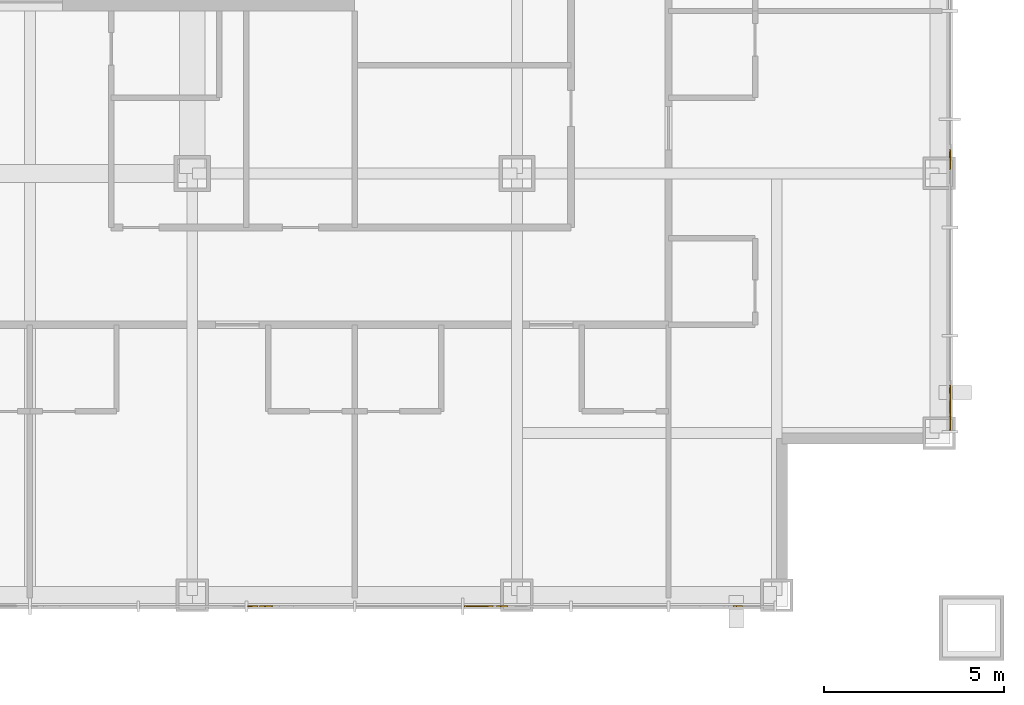
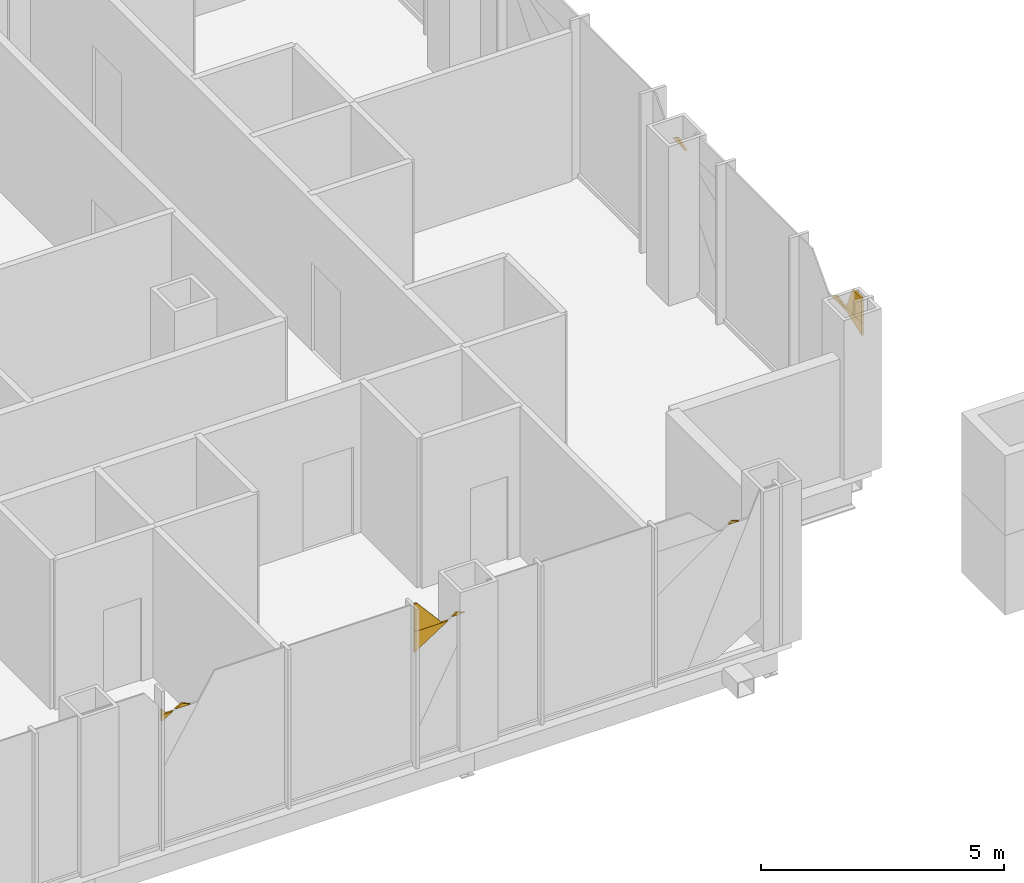
# One storey, part 18 of 23: 11 coverings.
"""IFC4 building model written with IfcOpenShell, lengths in metres."""

import ifcopenshell
import ifcopenshell.guid

model = None  # the IFC model being written
_history = None  # IfcOwnerHistory: only IFC2X3 demands one
_inside = {}  # id of a spatial element -> (the spatial element, [elements in it])
_under = {}  # id of a project, library or spatial element -> (it, [spatial elements below it])
_declared = {}  # id of a project -> (the project, [libraries it declares])
_typed = {}  # id of a type object -> (the type object, [elements of that type])
_made_of = {}  # id of a material, layer set ... -> (it, [elements and type objects made of it])


def new_model(schema):
    """Start an empty IFC model of exactly this schema.

    Asked for "IFC4X3", IfcOpenShell would pick the latest addendum, in which some entities
    have other attributes; the version numbers below select the first issue.
    IFC2X3 requires an IfcOwnerHistory on every rooted entity: one is made here for all.
    """
    global model, _history
    if schema == "IFC4X3":
        model = ifcopenshell.file(schema_version=(4, 3, 0, 0))
    else:
        model = ifcopenshell.file(schema=schema)
    _inside.clear()
    _under.clear()
    _declared.clear()
    _typed.clear()
    _made_of.clear()
    _history = None
    if model.schema == "IFC2X3":
        org = make("IfcOrganization", Name="unknown")
        user = make(
            "IfcPersonAndOrganization",
            ThePerson=make("IfcPerson", FamilyName="unknown"),
            TheOrganization=org,
        )
        app = make(
            "IfcApplication",
            ApplicationDeveloper=org,
            Version="unknown",
            ApplicationFullName="unknown",
            ApplicationIdentifier="unknown",
        )
        _history = make(
            "IfcOwnerHistory",
            OwningUser=user,
            OwningApplication=app,
            ChangeAction="ADDED",
            CreationDate=0,
        )
    return model


def make(cls, **values):
    """One entity of the class cls with the attributes given. An attribute that is None is left unset."""
    return model.create_entity(
        cls, **{name: value for name, value in values.items() if value is not None}
    )


def rooted(cls, **values):
    """An entity with a GlobalId (a new one), such as an element, a storey or a relation."""
    return make(cls, GlobalId=ifcopenshell.guid.new(), OwnerHistory=_history, **values)


def si_unit(unit_type, name, prefix=None):
    """IfcSIUnit, for example si_unit("LENGTHUNIT", "METRE", prefix="MILLI")."""
    return make("IfcSIUnit", UnitType=unit_type, Prefix=prefix, Name=name)


def assignment(units):
    """IfcUnitAssignment: the units of a project."""
    return None if units is None else make("IfcUnitAssignment", Units=units)


def point(xyz):
    """IfcCartesianPoint."""
    return None if xyz is None else make("IfcCartesianPoint", Coordinates=xyz)


def direction(xyz):
    """IfcDirection."""
    return None if xyz is None else make("IfcDirection", DirectionRatios=xyz)


def frame(location, z_axis=None, x_axis=None):
    """IfcAxis2Placement3D, a coordinate frame: its origin and axes. An axis left out is left unset."""
    return make(
        "IfcAxis2Placement3D",
        Location=point(location),
        Axis=direction(z_axis),
        RefDirection=direction(x_axis),
    )


def origin():
    """The frame at (0, 0, 0) with its axes left unset."""
    return frame((0.0, 0.0, 0.0))


def place(relative_to, where):
    """IfcLocalPlacement: puts the frame where relative to a parent placement (None: the world)."""
    return make(
        "IfcLocalPlacement", PlacementRelTo=relative_to, RelativePlacement=where
    )


def context(
    kind, dimensions, precision=None, world=None, true_north=None, identifier=None
):
    """IfcGeometricRepresentationContext, for example the 3D "Model" context."""
    return make(
        "IfcGeometricRepresentationContext",
        ContextIdentifier=identifier,
        ContextType=kind,
        CoordinateSpaceDimension=dimensions,
        Precision=precision,
        WorldCoordinateSystem=world,
        TrueNorth=true_north,
    )


def subcontext(parent, identifier, kind, view, scale=None):
    """IfcGeometricRepresentationSubContext, for example "Body" below "Model"."""
    return make(
        "IfcGeometricRepresentationSubContext",
        ContextIdentifier=identifier,
        ContextType=kind,
        ParentContext=parent,
        TargetScale=scale,
        TargetView=view,
    )


def project(units=None, contexts=None):
    """IfcProject with its units and contexts."""
    return rooted(
        "IfcProject",
        Name="project",
        RepresentationContexts=contexts,
        UnitsInContext=assignment(units),
    )


def spatial(cls, under=None, at=None, **own):
    """A site, building, storey or space (cls), placed at a placement, below another one or the project."""
    s = rooted(cls, ObjectPlacement=at, **own)
    if under is not None:
        _under.setdefault(under.id(), (under, []))[1].append(s)
    return s


def polyline(points):
    """IfcPolyline through the points."""
    return make("IfcPolyline", Points=[point(p) for p in points])


def outline(outer, holes=None, kind="AREA"):
    """IfcArbitraryClosedProfileDef: a profile drawn as a closed curve; with holes, ...WithVoids."""
    if holes is None:
        return make("IfcArbitraryClosedProfileDef", ProfileType=kind, OuterCurve=outer)
    return make(
        "IfcArbitraryProfileDefWithVoids",
        ProfileType=kind,
        OuterCurve=outer,
        InnerCurves=holes,
    )


def extrude(swept, where, along, depth):
    """IfcExtrudedAreaSolid: the profile swept, set in the frame where, extruded along a direction by depth."""
    return make(
        "IfcExtrudedAreaSolid",
        SweptArea=swept,
        Position=where,
        ExtrudedDirection=direction(along),
        Depth=depth,
    )


def shape(context_of_items, identifier, shape_type, items):
    """IfcShapeRepresentation: the items that make up one representation, for example the "Body"."""
    return make(
        "IfcShapeRepresentation",
        ContextOfItems=context_of_items,
        RepresentationIdentifier=identifier,
        RepresentationType=shape_type,
        Items=items,
    )


def material(Name=None, Category=None):
    """IfcMaterial."""
    return make("IfcMaterial", Name=Name, Category=Category)


def layer(
    of_material, thickness, ventilated=None, Name=None, Category=None, Priority=None
):
    """IfcMaterialLayer: one layer of a wall or slab, of a material (None: an air gap)."""
    return make(
        "IfcMaterialLayer",
        Material=of_material,
        LayerThickness=thickness,
        IsVentilated=ventilated,
        Name=Name,
        Category=Category,
        Priority=Priority,
    )


def layer_set(layers, Name=None):
    """IfcMaterialLayerSet."""
    return make("IfcMaterialLayerSet", MaterialLayers=layers, LayerSetName=Name)


def made_of(thing, what):
    """Note that an element or type object is made of a material, layer set ...; save() writes the relation."""
    if what is not None:
        _made_of.setdefault(what.id(), (what, []))[1].append(thing)
    return thing


def type_object(cls, material=None, **own):
    """A type object (cls), such as IfcWallType, which elements share."""
    return made_of(rooted(cls, **own), material)


def element(
    cls,
    number,
    at=None,
    inside=None,
    cuts=None,
    type_object=None,
    material=None,
    context=None,
    identifier="Body",
    shape_type=None,
    held_by="IfcProductDefinitionShape",
    body=None,
    shapes=None,
    **own,
):
    """One element of the class cls, such as IfcWall. Its Tag is "e" and its number.

    at: its placement. inside: the storey or other place that contains it. cuts: it is an
    opening in that element (IfcRelVoidsElement). A single representation is given by context,
    identifier, shape_type and body (its items); several are given by shapes. held_by: the class
    of the entity that holds the representations. save() writes the other relations.
    """
    e = rooted(cls, Tag="e%d" % number, ObjectPlacement=at, **own)
    if body is not None:
        shapes = [shape(context, identifier, shape_type, body)]
    if shapes is not None:
        e.Representation = make(held_by, Representations=shapes)
    if inside is not None:
        _inside.setdefault(inside.id(), (inside, []))[1].append(e)
    if cuts is not None:
        rooted(
            "IfcRelVoidsElement", RelatingBuildingElement=cuts, RelatedOpeningElement=e
        )
    if type_object is not None:
        _typed.setdefault(type_object.id(), (type_object, []))[1].append(e)
    return made_of(e, material)


def aggregate(whole, parts):
    """IfcRelAggregates: a whole, such as a stair, and the parts it consists of."""
    return rooted("IfcRelAggregates", RelatingObject=whole, RelatedObjects=parts)


def save(model, path):
    """Write the relations noted so far, then the file.

    IfcRelAggregates (storeys below a building ...), IfcRelContainedInSpatialStructure (elements
    in a storey), IfcRelDefinesByType, IfcRelAssociatesMaterial and IfcRelDeclares: one each for
    every whole, place, type object, material and project.
    """
    for whole, parts in _under.values():
        aggregate(whole, parts)
    for where, things in _inside.values():
        rooted(
            "IfcRelContainedInSpatialStructure",
            RelatedElements=things,
            RelatingStructure=where,
        )
    for kind, things in _typed.values():
        rooted("IfcRelDefinesByType", RelatedObjects=things, RelatingType=kind)
    for what, things in _made_of.values():
        rooted("IfcRelAssociatesMaterial", RelatedObjects=things, RelatingMaterial=what)
    for by, libraries in _declared.values():
        rooted("IfcRelDeclares", RelatingContext=by, RelatedDefinitions=libraries)
    model.write(path)


model = new_model("IFC4")

# Units and contexts
model_context = context("Model", 3, precision=1e-05, world=origin(), true_north=direction((0.0, 1.0)))
body_context = subcontext(model_context, "Body", "Model", "MODEL_VIEW")
ifc_project = project(units=[si_unit("LENGTHUNIT", "METRE"), si_unit("AREAUNIT", "SQUARE_METRE"), si_unit("VOLUMEUNIT", "CUBIC_METRE"), si_unit("PLANEANGLEUNIT", "RADIAN"), si_unit("MASSUNIT", "GRAM", prefix="KILO")], contexts=[model_context])

# Site, building, storey
site_placement = place(None, origin())
site = spatial("IfcSite", under=ifc_project, at=site_placement, CompositionType="ELEMENT")
building_placement = place(site_placement, origin())
building = spatial("IfcBuilding", under=site, at=building_placement, Name="Malebo Sky Hospital", CompositionType="ELEMENT")
storey_placement = place(building_placement, frame((0.0, 0.0, 91.0)))
storey = spatial("IfcBuildingStorey", under=building, at=storey_placement, Name="L21", CompositionType="ELEMENT", Elevation=91.0)

# Coverings
ifc_material = material(Name="Anodised aluminium, natural silver insulated infill panel", Category="aluminium")
ifc_layer = layer(ifc_material, 0.0400390625)
ifc_layer_set = layer_set([ifc_layer], Name="BRACE INFILL PANEL 40")
covering_type = type_object("IfcCoveringType", Name="BRACE INFILL PANEL 40", PredefinedType="CLADDING", material=ifc_layer_set)
covering_1_placement = place(storey_placement, frame((79.623779296875, 36.5, 3.3779296875), z_axis=(0.0, 0.0, 1.0), x_axis=(-1.0, 0.0, 0.0)))
element("IfcCovering", 1, at=covering_1_placement, inside=storey, type_object=covering_type, Name="Brace infill panel 1.4", PredefinedType="CLADDING", context=body_context, shape_type="SweptSolid", body=[
    extrude(outline(polyline([(-0.125732421875, 0.0), (0.125732421875, 0.0), (0.0390625, 0.061279296875), (-0.125732421875, 0.0)])), frame((0.0, 0.02001953125, 0.0), z_axis=(0.0, -1.0, 0.0), x_axis=(1.0, 0.0, 0.0)), (0.0, 0.0, 1.0), 0.0400390625),
])
covering_2_placement = place(storey_placement, frame((72.439208984375, 36.5, 2.779296875), z_axis=(0.0, 0.0, 1.0), x_axis=(-1.0, 0.0, 0.0)))
element("IfcCovering", 2, at=covering_2_placement, inside=storey, type_object=covering_type, Name="Brace infill panel 3.2", PredefinedType="CLADDING", context=body_context, shape_type="SweptSolid", body=[
    extrude(outline(polyline([(0.401611328125, 0.0), (0.401611328125, 0.51953125), (-0.40185546875, 0.51953125), (0.401611328125, 0.0)])), frame((0.0, 0.02001953125, 0.0), z_axis=(0.0, -1.0, 0.0), x_axis=(1.0, 0.0, 0.0)), (0.0, 0.0, 1.0), 0.0400390625),
])
covering_3_placement = place(storey_placement, frame((72.3681640625, 36.5, 3.298828125), z_axis=(0.0, 0.0, 1.0), x_axis=(-1.0, 0.0, 0.0)))
element("IfcCovering", 3, at=covering_3_placement, inside=storey, type_object=covering_type, Name="Brace infill panel 3.3", PredefinedType="CLADDING", context=body_context, shape_type="SweptSolid", body=[
    extrude(outline(polyline([(-0.330810546875, 0.0), (0.33056640625, 0.0), (0.33056640625, 0.691162109375), (0.263427734375, 0.691162109375), (-0.330810546875, 0.0)])), frame((0.0, 0.02001953125, 0.0), z_axis=(0.0, -1.0, 0.0), x_axis=(1.0, 0.0, 0.0)), (0.0, 0.0, 1.0), 0.0400390625),
])
covering_4_placement = place(storey_placement, frame((73.089599609375, 36.5, 3.35986328125), z_axis=(0.0, 0.0, 1.0), x_axis=(-1.0, 0.0, 0.0)))
element("IfcCovering", 4, at=covering_4_placement, inside=storey, type_object=covering_type, Name="Brace infill panel 3.4", PredefinedType="CLADDING", context=body_context, shape_type="SweptSolid", body=[
    extrude(outline(polyline([(-0.154052734375, 0.0), (0.154052734375, 0.0), (0.03271484375, 0.07861328125), (-0.154052734375, 0.0)])), frame((0.0, 0.02001953125, 0.0), z_axis=(0.0, -1.0, 0.0), x_axis=(1.0, 0.0, 0.0)), (0.0, 0.0, 1.0), 0.0400390625),
])
covering_5_placement = place(storey_placement, frame((66.17578125, 36.5, 3.149658203125), z_axis=(0.0, 0.0, 1.0), x_axis=(-1.0, 0.0, 0.0)))
element("IfcCovering", 5, at=covering_5_placement, inside=storey, type_object=covering_type, Name="Brace infill panel 5.2", PredefinedType="CLADDING", context=body_context, shape_type="SweptSolid", body=[
    extrude(outline(polyline([(0.138427734375, 0.0), (0.138427734375, 0.16259765625), (-0.138427734375, 0.16259765625), (0.138427734375, 0.0)])), frame((0.0, 0.02001953125, 0.0), z_axis=(0.0, -1.0, 0.0), x_axis=(1.0, 0.0, 0.0)), (0.0, 0.0, 1.0), 0.0400390625),
])
covering_6_placement = place(storey_placement, frame((66.09912109375, 36.5, 3.312255859375), z_axis=(0.0, 0.0, 1.0), x_axis=(-1.0, 0.0, 0.0)))
element("IfcCovering", 6, at=covering_6_placement, inside=storey, type_object=covering_type, Name="Brace infill panel 5.3", PredefinedType="CLADDING", context=body_context, shape_type="SweptSolid", body=[
    extrude(outline(polyline([(-0.0615234375, 0.0), (0.0615234375, 0.0), (0.0615234375, 0.15869140625), (-0.0615234375, 0.0)])), frame((0.0, 0.02001953125, 0.0), z_axis=(0.0, -1.0, 0.0), x_axis=(1.0, 0.0, 0.0)), (0.0, 0.0, 1.0), 0.0400390625),
])
covering_7_placement = place(storey_placement, frame((66.5478515625, 36.5, 3.3427734375), z_axis=(0.0, 0.0, 1.0), x_axis=(-1.0, 0.0, 0.0)))
element("IfcCovering", 7, at=covering_7_placement, inside=storey, type_object=covering_type, Name="Brace infill panel 5.4", PredefinedType="CLADDING", context=body_context, shape_type="SweptSolid", body=[
    extrude(outline(polyline([(-0.181396484375, 0.0), (0.181396484375, 0.0), (0.019287109375, 0.09521484375), (-0.181396484375, 0.0)])), frame((0.0, 0.02001953125, 0.0), z_axis=(0.0, -1.0, 0.0), x_axis=(1.0, 0.0, 0.0)), (0.0, 0.0, 1.0), 0.0400390625),
])
covering_8_placement = place(storey_placement, frame((85.5, 48.885009765625, 3.298828125), z_axis=(0.0, 0.0, 1.0), x_axis=(0.0, -1.0, 0.0)))
element("IfcCovering", 8, at=covering_8_placement, inside=storey, type_object=covering_type, Name="Brace infill panel 12.4", PredefinedType="CLADDING", context=body_context, shape_type="SweptSolid", body=[
    extrude(outline(polyline([(-0.27392578125, 0.0), (0.27392578125, 0.0), (-0.05810546875, 0.1396484375), (-0.27392578125, 0.0)])), frame((0.0, 0.02001953125, 0.0), z_axis=(0.0, -1.0, 0.0), x_axis=(1.0, 0.0, 0.0)), (0.0, 0.0, 1.0), 0.0400390625),
])
covering_9_placement = place(storey_placement, frame((85.5, 41.812744140625, 3.052734375), z_axis=(0.0, 0.0, 1.0), x_axis=(0.0, -1.0, 0.0)))
element("IfcCovering", 9, at=covering_9_placement, inside=storey, type_object=covering_type, Name="Brace infill panel 14.2", PredefinedType="CLADDING", context=body_context, shape_type="SweptSolid", body=[
    extrude(outline(polyline([(0.437744140625, 0.0), (0.437744140625, 0.324951171875), (-0.4375, 0.324951171875), (0.437744140625, 0.0)])), frame((0.0, 0.02001953125, 0.0), z_axis=(0.0, -1.0, 0.0), x_axis=(1.0, 0.0, 0.0)), (0.0, 0.0, 1.0), 0.0400390625),
])
covering_10_placement = place(storey_placement, frame((85.5, 41.699462890625, 3.3779296875), z_axis=(0.0, 0.0, 1.0), x_axis=(0.0, -1.0, 0.0)))
element("IfcCovering", 10, at=covering_10_placement, inside=storey, type_object=covering_type, Name="Brace infill panel 14.3", PredefinedType="CLADDING", context=body_context, shape_type="SweptSolid", body=[
    extrude(outline(polyline([(-0.324462890625, 0.0), (0.32421875, 0.0), (0.32421875, 0.612060546875), (-0.05615234375, 0.612060546875), (-0.324462890625, 0.0)])), frame((0.0, 0.02001953125, 0.0), z_axis=(0.0, -1.0, 0.0), x_axis=(1.0, 0.0, 0.0)), (0.0, 0.0, 1.0), 0.0400390625),
])
covering_11_placement = place(storey_placement, frame((85.5, 42.31787109375, 3.286865234375), z_axis=(0.0, 0.0, 1.0), x_axis=(0.0, -1.0, 0.0)))
element("IfcCovering", 11, at=covering_11_placement, inside=storey, type_object=covering_type, Name="Brace infill panel 14.4", PredefinedType="CLADDING", context=body_context, shape_type="SweptSolid", body=[
    extrude(outline(polyline([(-0.31298828125, 0.0), (0.31298828125, 0.0), (-0.097412109375, 0.15234375), (-0.31298828125, 0.0)])), frame((0.0, 0.02001953125, 0.0), z_axis=(0.0, -1.0, 0.0), x_axis=(1.0, 0.0, 0.0)), (0.0, 0.0, 1.0), 0.0400390625),
])

save(model, "model.ifc")
